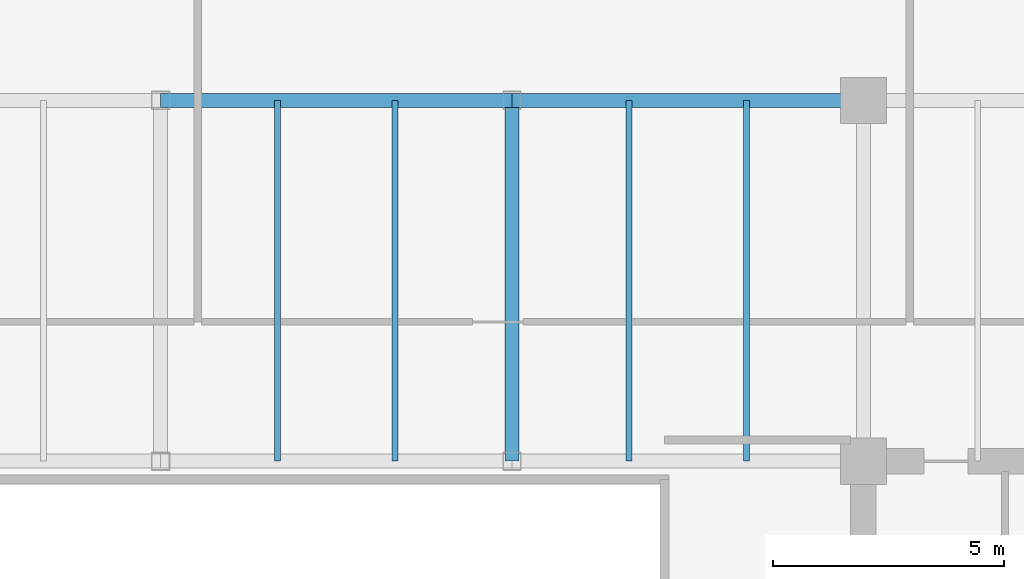
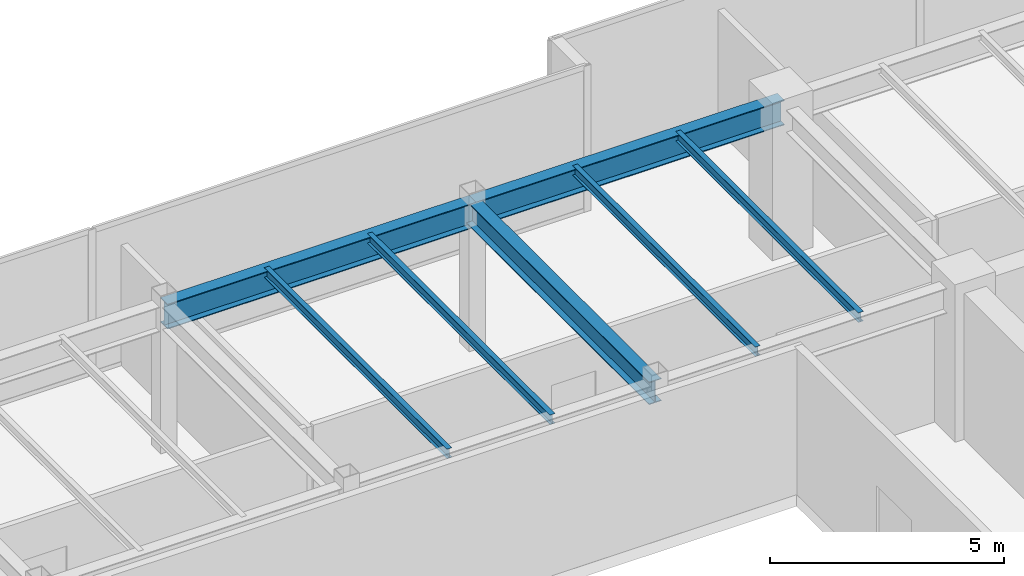
# One storey, part 18 of 33: 7 beams.
"""IFC4 building model written with IfcOpenShell, lengths in metres."""

from ifc_helpers import new_model, si_unit, direction, frame, origin, origin_2d, place, context, subcontext, project, spatial, i_section, extrude, source, transform, mapped, material, material_profile, profile_set, type_object, type_shapes, element, save


model = new_model("IFC4")

# Units and contexts
model_context = context("Model", 3, precision=1e-05, world=origin(), true_north=direction((0.0, 1.0)))
body_context = subcontext(model_context, "Body", "Model", "MODEL_VIEW")
ifc_project = project(units=[si_unit("LENGTHUNIT", "METRE"), si_unit("AREAUNIT", "SQUARE_METRE"), si_unit("VOLUMEUNIT", "CUBIC_METRE"), si_unit("PLANEANGLEUNIT", "RADIAN"), si_unit("MASSUNIT", "GRAM", prefix="KILO")], contexts=[model_context])

# Site, building, storey
site_placement = place(None, origin())
site = spatial("IfcSite", under=ifc_project, at=site_placement, CompositionType="ELEMENT")
building_placement = place(site_placement, origin())
building = spatial("IfcBuilding", under=site, at=building_placement, Name="Haelvirn Gate Laboratories", CompositionType="ELEMENT")
storey_placement = place(building_placement, frame((0.0, 0.0, 258.800048828125)))
storey = spatial("IfcBuildingStorey", under=building, at=storey_placement, Name="L62", CompositionType="ELEMENT", Elevation=258.800048828125)

# Beams
ifc_material = material(Name="Steel SM355", Category="steel")
ifc_material_profile_1 = material_profile(ifc_material, i_section(OverallWidth=0.300048828125, OverallDepth=0.587890625, WebThickness=0.011962890625, FlangeThickness=0.02001953125, at=origin_2d()), Name="H-588x300x12x20")
ifc_profile_set_1 = profile_set([ifc_material_profile_1], Name="Steel SM355")
beam_type_1 = type_object("IfcBeamType", Name="BM-G-588", PredefinedType="BEAM", material=ifc_profile_set_1)
shared_shape_1 = source(origin(), body_context, "Body", "SweptSolid", [
    extrude(i_section(OverallWidth=0.300048828125, OverallDepth=0.587890625, WebThickness=0.011962890625, FlangeThickness=0.02001953125, at=origin_2d()), origin(), (0.0, 0.0, 1.0), 7.800048828125),
])
type_shapes(beam_type_1, [shared_shape_1])
beam_placement = place(storey_placement, frame((45.0, 33.800048828125, 3.505859375), z_axis=(0.0, 1.0, 0.0), x_axis=(-1.0, 0.0, 0.0)))
element("IfcBeam", 1, at=beam_placement, inside=storey, type_object=beam_type_1, Name="L62 Frame Girder X45.0 (33.8-41.6)", PredefinedType="BEAM", context=body_context, shape_type="MappedRepresentation", body=[
    mapped(shared_shape_1, transform((0.0, 0.0, 0.0), scale=1.0)),
])
ifc_material_profile_2 = material_profile(ifc_material, i_section(OverallWidth=0.300048828125, OverallDepth=0.64990234375, WebThickness=0.012939453125, FlangeThickness=0.02197265625, at=origin_2d()), Name="H-650x300x13x22")
ifc_profile_set_2 = profile_set([ifc_material_profile_2], Name="Steel SM355")
beam_type_2 = type_object("IfcBeamType", Name="BM-G-650", PredefinedType="BEAM", material=ifc_profile_set_2)
shared_shape_2 = source(origin(), body_context, "Body", "SweptSolid", [
    extrude(i_section(OverallWidth=0.300048828125, OverallDepth=0.64990234375, WebThickness=0.012939453125, FlangeThickness=0.02197265625, at=origin_2d()), origin(), (0.0, 0.0, 1.0), 7.60009765625),
])
type_shapes(beam_type_2, [shared_shape_2])
for number, where, z_axis, x_axis, name in (
    (2, (37.39990234375, 41.60009765625, 3.474853515625), (1.0, 0.0, 0.0), (0.0, 1.0, 0.0), "L62 Primary Girder Y41.6 (37.4-45.0)"),
    (3, (45.0, 41.60009765625, 3.474853515625), (1.0, 0.0, 0.0), (0.0, 1.0, 0.0), "L62 Primary Girder Y41.6 (45.0-52.6)"),
):
    element("IfcBeam", number, at=place(storey_placement, frame(where, z_axis=z_axis, x_axis=x_axis)), inside=storey, type_object=beam_type_2, Name=name, PredefinedType="BEAM", context=body_context, shape_type="MappedRepresentation", body=[
        mapped(shared_shape_2, transform((0.0, 0.0, 0.0), scale=1.0)),
    ])
ifc_material_profile_3 = material_profile(ifc_material, i_section(OverallWidth=0.125, OverallDepth=0.25, WebThickness=0.006103515625, FlangeThickness=0.009033203125, at=origin_2d()), Name="H-250x125x6x9")
ifc_profile_set_3 = profile_set([ifc_material_profile_3], Name="Steel SM355")
beam_type_3 = type_object("IfcBeamType", Name="BM-J-250", PredefinedType="JOIST", material=ifc_profile_set_3)
shared_shape_3 = source(origin(), body_context, "Body", "SweptSolid", [
    extrude(i_section(OverallWidth=0.125, OverallDepth=0.25, WebThickness=0.006103515625, FlangeThickness=0.009033203125, at=origin_2d()), origin(), (0.0, 0.0, 1.0), 7.800048828125),
])
type_shapes(beam_type_3, [shared_shape_3])
for number, where, z_axis, x_axis, name in (
    (4, (39.929931640625, 33.800048828125, 3.675048828125), (0.0, 1.0, 0.0), (-1.0, 0.0, 0.0), "L62 Composite Lab Joist North X39.93"),
    (5, (42.469970703125, 33.800048828125, 3.675048828125), (0.0, 1.0, 0.0), (-1.0, 0.0, 0.0), "L62 Composite Lab Joist North X42.47"),
    (6, (47.530029296875, 33.800048828125, 3.675048828125), (0.0, 1.0, 0.0), (-1.0, 0.0, 0.0), "L62 Composite Lab Joist North X47.53"),
    (7, (50.070068359375, 33.800048828125, 3.675048828125), (0.0, 1.0, 0.0), (-1.0, 0.0, 0.0), "L62 Composite Lab Joist North X50.07"),
):
    element("IfcBeam", number, at=place(storey_placement, frame(where, z_axis=z_axis, x_axis=x_axis)), inside=storey, type_object=beam_type_3, Name=name, PredefinedType="JOIST", context=body_context, shape_type="MappedRepresentation", body=[
        mapped(shared_shape_3, transform((0.0, 0.0, 0.0), scale=1.0)),
    ])

save(model, "model.ifc")
